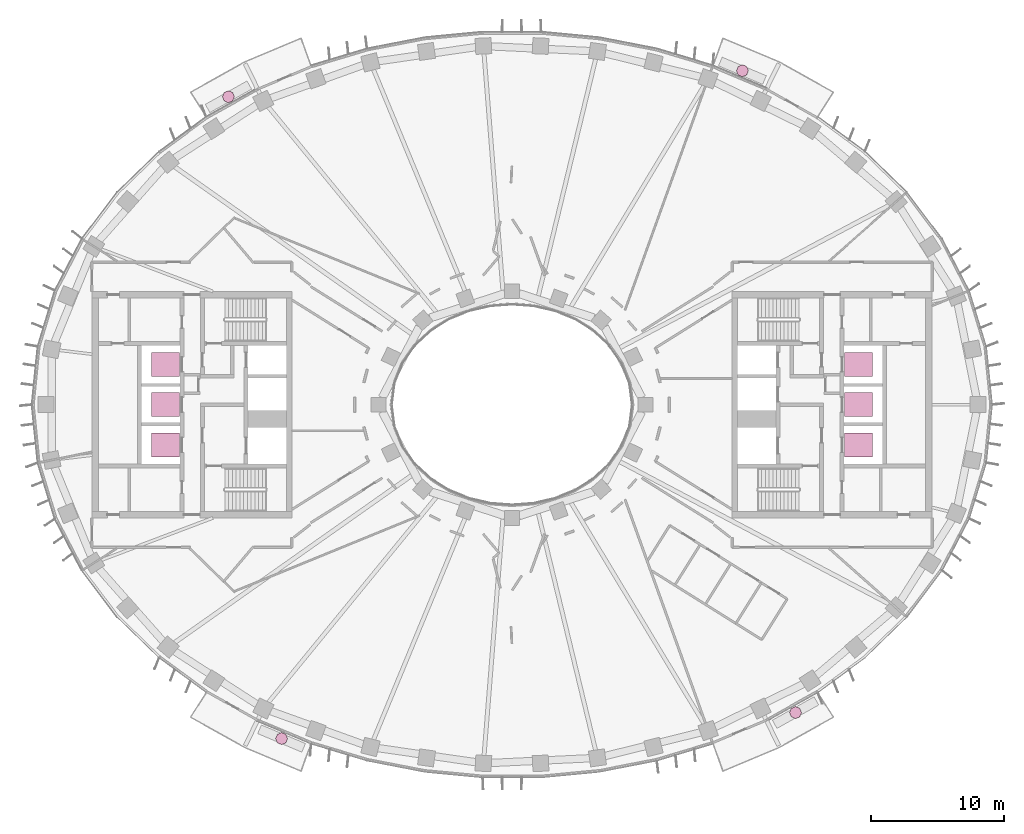
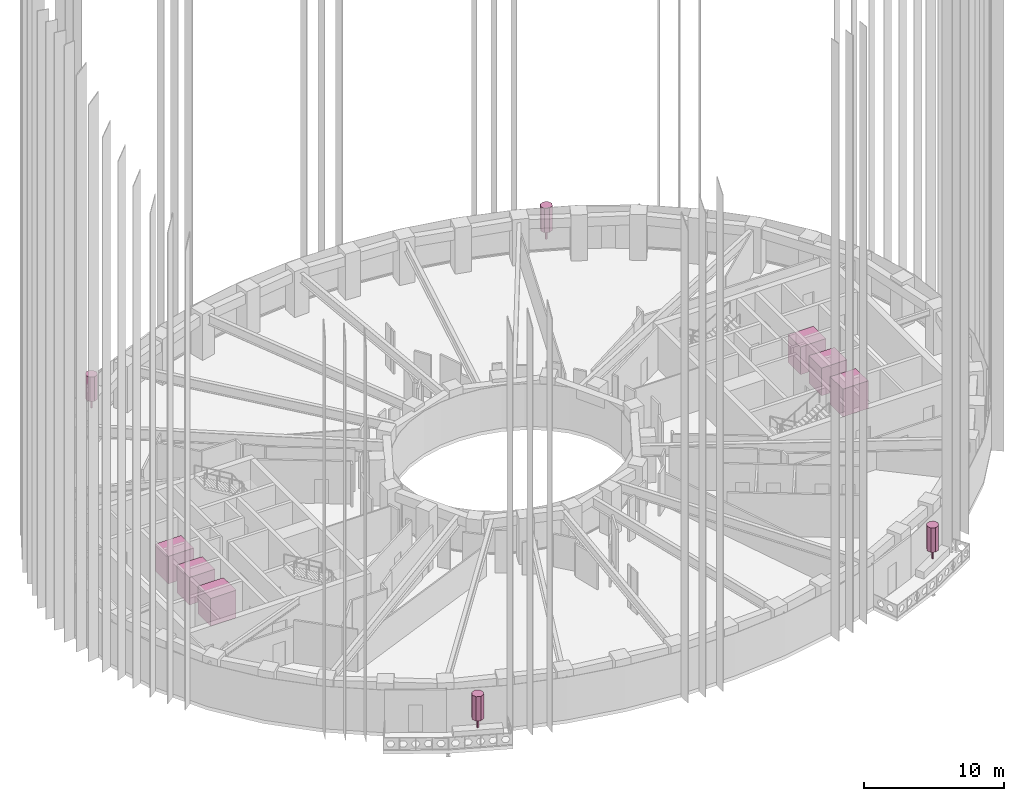
# One storey, part 19 of 19: 6 transport elements, 4 furnishings.
"""IFC4 building model written with IfcOpenShell, lengths in metres."""

from ifc_helpers import new_model, si_unit, direction, frame, origin, origin_2d, place, context, subcontext, project, spatial, polyline, rectangle, outline, extrude, material, type_object, element, save


model = new_model("IFC4")

# Units and contexts
model_context = context("Model", 3, precision=1e-05, world=origin(), true_north=direction((0.0, 1.0)))
body_context = subcontext(model_context, "Body", "Model", "MODEL_VIEW")
ifc_project = project(units=[si_unit("LENGTHUNIT", "METRE"), si_unit("AREAUNIT", "SQUARE_METRE"), si_unit("VOLUMEUNIT", "CUBIC_METRE"), si_unit("PLANEANGLEUNIT", "RADIAN"), si_unit("MASSUNIT", "GRAM", prefix="KILO")], contexts=[model_context])

# Site, building, storey
site_placement = place(None, origin())
site = spatial("IfcSite", under=ifc_project, at=site_placement, CompositionType="ELEMENT")
building_placement = place(site_placement, origin())
building = spatial("IfcBuilding", under=site, at=building_placement, Name="Noorbagh Ring Tower", CompositionType="ELEMENT")
storey_placement = place(building_placement, frame((0.0, 0.0, 146.0)))
storey = spatial("IfcBuildingStorey", under=building, at=storey_placement, Name="L33", CompositionType="ELEMENT", Elevation=146.0)

# Transport elements
ifc_material_1 = material(Name="Brushed stainless steel", Category="steel")
transport_element_type = type_object("IfcTransportElementType", Name="CORE-LIFT-HR", PredefinedType="ELEVATOR", material=ifc_material_1)
for number, where, z_axis, x_axis, name in (
    (1, (-26.0, -3.02490234375, 0.0), (0.0, 0.0, 1.0), (1.0, 0.0, 0.0), "Lift HR2"),
    (2, (-26.0, 0.0, 0.0), (0.0, 0.0, 1.0), (1.0, 0.0, 0.0), "Lift HR3"),
    (3, (-26.0, 3.02490234375, 0.0), (0.0, 0.0, 1.0), (1.0, 0.0, 0.0), "Lift HR4"),
    (4, (26.0, -3.02490234375, 0.0), (0.0, 0.0, 1.0), (1.0, 0.0, 0.0), "Lift HR9"),
    (5, (26.0, 0.0, 0.0), (0.0, 0.0, 1.0), (1.0, 0.0, 0.0), "Lift HR10"),
    (6, (26.0, 3.02490234375, 0.0), (0.0, 0.0, 1.0), (1.0, 0.0, 0.0), "Lift HR11"),
):
    element("IfcTransportElement", number, at=place(storey_placement, frame(where, z_axis=z_axis, x_axis=x_axis)), inside=storey, type_object=transport_element_type, Name=name, PredefinedType="ELEVATOR", context=body_context, shape_type="SweptSolid", body=[
        extrude(rectangle(XDim=2.10009765625, YDim=1.800048828125, at=origin_2d()), origin(), (0.0, 0.0, 1.0), 2.39990234375),
    ])

# Furnishings
ifc_material_2 = material(Name="Planting foliage green")
furnishing_element_type = type_object("IfcFurnishingElementType", Name="ENV-TREE", material=ifc_material_2)
for number, where, z_axis, x_axis, name in (
    (7, (17.280517578125, 25.041259765625, 0.60009765625), (0.0, 0.0, 1.0), (1.0, 0.0, 0.0), "Tree BN02"),
    (8, (-21.26513671875, 23.093017578125, 0.60009765625), (0.0, 0.0, 1.0), (1.0, 0.0, 0.0), "Tree BN05"),
    (9, (-17.280517578125, -25.041259765625, 0.60009765625), (0.0, 0.0, 1.0), (1.0, 0.0, 0.0), "Tree BS02"),
    (10, (21.26513671875, -23.093017578125, 0.60009765625), (0.0, 0.0, 1.0), (1.0, 0.0, 0.0), "Tree BS05"),
):
    element("IfcFurnishingElement", number, at=place(storey_placement, frame(where, z_axis=z_axis, x_axis=x_axis)), inside=storey, type_object=furnishing_element_type, Name=name, context=body_context, shape_type="SweptSolid", body=[
        extrude(rectangle(XDim=0.1201171875, YDim=0.1201171875, at=origin_2d()), origin(), (0.0, 0.0, 1.0), 0.825927734375),
        extrude(outline(polyline([(0.449951171875, 0.0), (0.318115234375, 0.318115234375), (0.0, 0.449951171875), (-0.318115234375, 0.318115234375), (-0.449951171875, 0.0), (-0.318115234375, -0.318115234375), (0.0, -0.449951171875), (0.318115234375, -0.318115234375), (0.449951171875, 0.0)])), frame((0.0, 0.0, 0.825927734375)), (0.0, 0.0, 1.0), 2.1240234375),
    ])

save(model, "model.ifc")
